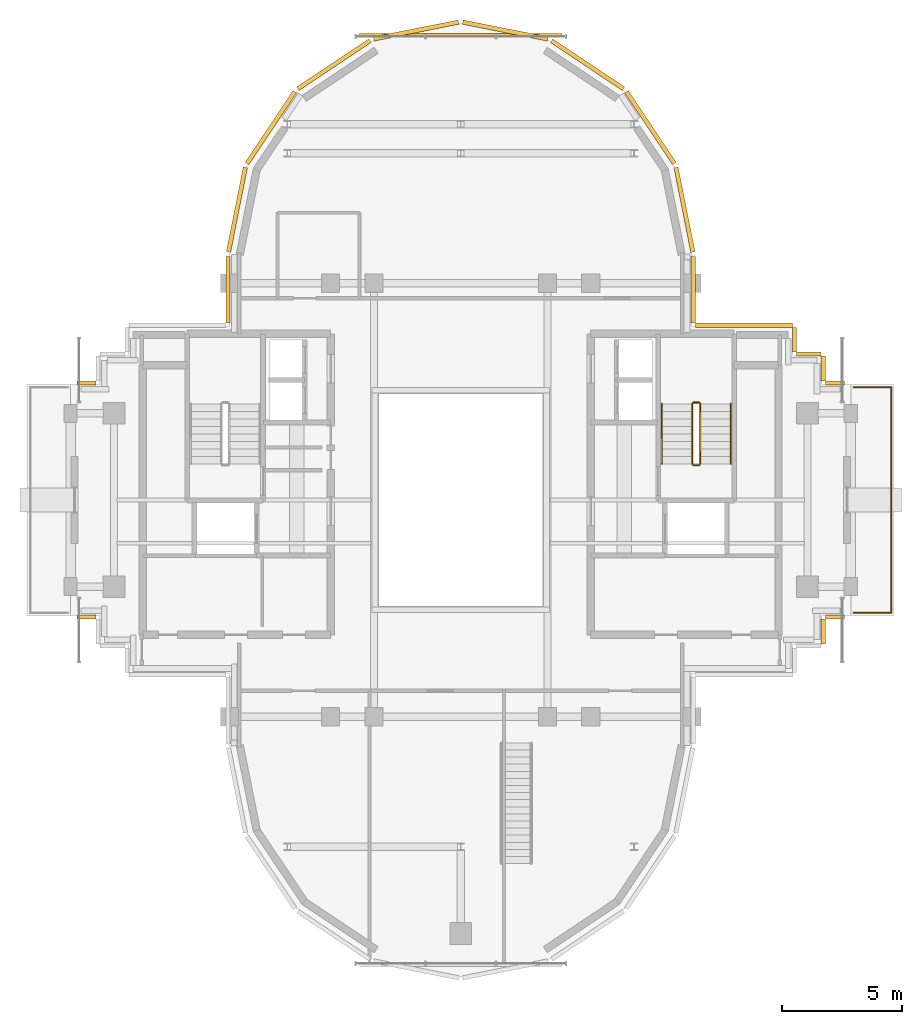
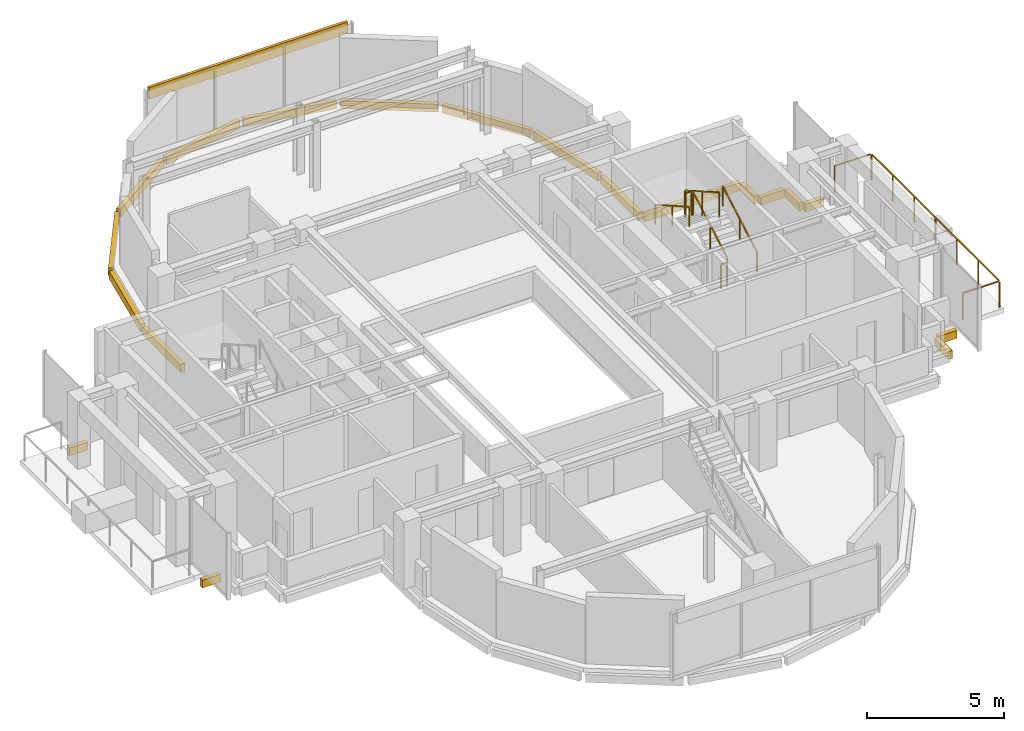
# One storey, part 11 of 12: 20 coverings, 7 railings.
"""IFC4 building model written with IfcOpenShell, lengths in metres."""

from ifc_helpers import new_model, si_unit, direction, frame, origin, origin_2d, place, context, subcontext, project, spatial, rectangle, extrude, source, transform, mapped, material, layer, layer_set, type_object, element, save


model = new_model("IFC4")

# Units and contexts
model_context = context("Model", 3, precision=1e-05, world=origin(), true_north=direction((0.0, 1.0)))
body_context = subcontext(model_context, "Body", "Model", "MODEL_VIEW")
ifc_project = project(units=[si_unit("LENGTHUNIT", "METRE"), si_unit("AREAUNIT", "SQUARE_METRE"), si_unit("VOLUMEUNIT", "CUBIC_METRE"), si_unit("PLANEANGLEUNIT", "RADIAN"), si_unit("MASSUNIT", "GRAM", prefix="KILO")], contexts=[model_context])

# Site, building, storey
site_placement = place(None, origin())
site = spatial("IfcSite", under=ifc_project, at=site_placement, CompositionType="ELEMENT")
building_placement = place(site_placement, origin())
building = spatial("IfcBuilding", under=site, at=building_placement, Name="Keilestroom Media Tower", CompositionType="ELEMENT")
storey_placement = place(building_placement, frame((0.0, 0.0, 252.39990234375)))
storey = spatial("IfcBuildingStorey", under=building, at=storey_placement, Name="L70", CompositionType="ELEMENT", Elevation=252.39990234375)

# Railings
ifc_material_1 = material(Name="Brushed Stainless Steel 1.4301", Category="steel")
railing_type_1 = type_object("IfcRailingType", Name="Stair-Pitch-Handrail-920", PredefinedType="HANDRAIL", material=ifc_material_1)
railing_1_placement = place(storey_placement, frame((11.2099609375, 1.5, 0.177978515625)))
element("IfcRailing", 1, at=railing_1_placement, inside=storey, type_object=railing_type_1, Name="L70 ST-2 stair handrail 1", PredefinedType="HANDRAIL", context=body_context, shape_type="SweptSolid", body=[
    extrude(rectangle(XDim=0.048095703125, YDim=0.048095703125, at=origin_2d()), frame((0.0, 0.0, 0.8759765625), z_axis=(0.0, 0.868875238982, 0.495031129408), x_axis=(-1.0, 0.0, 0.0)), (0.0, 0.0, 1.0), 2.872802734375),
    extrude(rectangle(XDim=0.0419921875, YDim=0.0419921875, at=origin_2d()), origin(), (0.0, 0.0, 1.0), 0.84375),
    extrude(rectangle(XDim=0.0419921875, YDim=0.0419921875, at=origin_2d()), frame((0.0, 1.248046875, 0.7109375)), (0.0, 0.0, 1.0), 0.84375),
    extrude(rectangle(XDim=0.0419921875, YDim=0.0419921875, at=origin_2d()), frame((0.0, 2.49609375, 1.422119140625)), (0.0, 0.0, 1.0), 0.84375),
])
railing_2_placement = place(storey_placement, frame((8.35009765625, 3.99609375, 1.77783203125)))
element("IfcRailing", 2, at=railing_2_placement, inside=storey, type_object=railing_type_1, Name="L70 ST-2 stair handrail 2", PredefinedType="HANDRAIL", context=body_context, shape_type="SweptSolid", body=[
    extrude(rectangle(XDim=0.048095703125, YDim=0.048095703125, at=origin_2d()), frame((0.0, 0.0, 0.8759765625), z_axis=(0.0, -0.868838684858, 0.495095283449), x_axis=(1.0, 0.0, 0.0)), (0.0, 0.0, 1.0), 2.872802734375),
    extrude(rectangle(XDim=0.0419921875, YDim=0.0419921875, at=origin_2d()), origin(), (0.0, 0.0, 1.0), 0.84375),
    extrude(rectangle(XDim=0.0419921875, YDim=0.0419921875, at=origin_2d()), frame((0.0, -1.248046875, 0.711181640625)), (0.0, 0.0, 1.0), 0.84375),
    extrude(rectangle(XDim=0.0419921875, YDim=0.0419921875, at=origin_2d()), frame((0.0, -2.49609375, 1.42236328125)), (0.0, 0.0, 1.0), 0.84375),
])
ifc_material_2 = material(Name="Painted Steel Balustrade", Category="steel")
railing_type_2 = type_object("IfcRailingType", Name="Stair-Well-And-Landing-Guard-1100", PredefinedType="GUARDRAIL", material=ifc_material_2)
railing_3_placement = place(storey_placement, frame((9.949951171875, 1.5, 0.177978515625)))
element("IfcRailing", 3, at=railing_3_placement, inside=storey, type_object=railing_type_2, Name="L70 ST-2 stair guard 1", PredefinedType="GUARDRAIL", context=body_context, shape_type="SweptSolid", body=[
    extrude(rectangle(XDim=0.048095703125, YDim=0.048095703125, at=origin_2d()), frame((0.0, 0.0, 1.076171875), z_axis=(0.0, 0.868875238982, 0.495031129408), x_axis=(-1.0, 0.0, 0.0)), (0.0, 0.0, 1.0), 2.872802734375),
    extrude(rectangle(XDim=0.0419921875, YDim=0.0419921875, at=origin_2d()), origin(), (0.0, 0.0, 1.0), 1.0439453125),
    extrude(rectangle(XDim=0.0419921875, YDim=0.0419921875, at=origin_2d()), frame((0.0, 1.248046875, 0.7109375)), (0.0, 0.0, 1.0), 1.0439453125),
    extrude(rectangle(XDim=0.0419921875, YDim=0.0419921875, at=origin_2d()), frame((0.0, 2.49609375, 1.422119140625)), (0.0, 0.0, 1.0), 1.0439453125),
])
railing_4_placement = place(storey_placement, frame((9.89990234375, 4.0458984375, 1.60009765625)))
element("IfcRailing", 4, at=railing_4_placement, inside=storey, type_object=railing_type_2, Name="L70 ST-2 stair guard 2", PredefinedType="GUARDRAIL", context=body_context, shape_type="SweptSolid", body=[
    extrude(rectangle(XDim=0.048095703125, YDim=0.048095703125, at=origin_2d()), frame((0.0, 0.0, 1.076171875), z_axis=(-1.0, 0.0, 0.0), x_axis=(0.0, -1.0, 0.0)), (0.0, 0.0, 1.0), 0.239990234375),
    extrude(rectangle(XDim=0.0419921875, YDim=0.0419921875, at=origin_2d()), origin(), (0.0, 0.0, 1.0), 1.0439453125),
    extrude(rectangle(XDim=0.0419921875, YDim=0.0419921875, at=origin_2d()), frame((-0.239990234375, 0.0, 0.0)), (0.0, 0.0, 1.0), 1.0439453125),
])
railing_5_placement = place(storey_placement, frame((9.610107421875, 3.99609375, 1.77783203125)))
element("IfcRailing", 5, at=railing_5_placement, inside=storey, type_object=railing_type_2, Name="L70 ST-2 stair guard 3", PredefinedType="GUARDRAIL", context=body_context, shape_type="SweptSolid", body=[
    extrude(rectangle(XDim=0.048095703125, YDim=0.048095703125, at=origin_2d()), frame((0.0, 0.0, 1.076171875), z_axis=(0.0, -0.868838684858, 0.495095283449), x_axis=(1.0, 0.0, 0.0)), (0.0, 0.0, 1.0), 2.872802734375),
    extrude(rectangle(XDim=0.0419921875, YDim=0.0419921875, at=origin_2d()), origin(), (0.0, 0.0, 1.0), 1.0439453125),
    extrude(rectangle(XDim=0.0419921875, YDim=0.0419921875, at=origin_2d()), frame((0.0, -1.248046875, 0.711181640625)), (0.0, 0.0, 1.0), 1.0439453125),
    extrude(rectangle(XDim=0.0419921875, YDim=0.0419921875, at=origin_2d()), frame((0.0, -2.49609375, 1.42236328125)), (0.0, 0.0, 1.0), 1.0439453125),
])
railing_6_placement = place(storey_placement, frame((9.89990234375, 1.449951171875, 0.0)))
element("IfcRailing", 6, at=railing_6_placement, inside=storey, type_object=railing_type_2, Name="L70 ST-2 stair guard 4", PredefinedType="GUARDRAIL", context=body_context, shape_type="SweptSolid", body=[
    extrude(rectangle(XDim=0.048095703125, YDim=0.048095703125, at=origin_2d()), frame((0.0, 0.0, 1.076171875), z_axis=(-1.0, 0.0, 0.0), x_axis=(0.0, -1.0, 0.0)), (0.0, 0.0, 1.0), 0.239990234375),
    extrude(rectangle(XDim=0.0419921875, YDim=0.0419921875, at=origin_2d()), origin(), (0.0, 0.0, 1.0), 1.0439453125),
    extrude(rectangle(XDim=0.0419921875, YDim=0.0419921875, at=origin_2d()), frame((-0.239990234375, 0.0, 0.0)), (0.0, 0.0, 1.0), 1.0439453125),
])
ifc_material_3 = material(Name="Laminated Safety Glass & Bronze Aluminium", Category="aluminium")
railing_type_3 = type_object("IfcRailingType", Name="Terrace-And-Atrium-Guard-Balustrade-GD-SKY", PredefinedType="BALUSTRADE", material=ifc_material_3)
railing_7_placement = place(storey_placement, frame((16.320068359375, -4.679931640625, 0.0)))
element("IfcRailing", 7, at=railing_7_placement, inside=storey, type_object=railing_type_3, Name="L70 Terrace Perimeter Guard CUP70-E", PredefinedType="BALUSTRADE", context=body_context, shape_type="SweptSolid", body=[
    extrude(rectangle(XDim=0.048095703125, YDim=0.048095703125, at=origin_2d()), frame((0.0, 0.0, 1.17578125), z_axis=(1.0, 0.0, 0.0), x_axis=(0.0, 1.0, 0.0)), (0.0, 0.0, 1.0), 1.51171875),
    extrude(rectangle(XDim=0.048095703125, YDim=0.048095703125, at=origin_2d()), frame((1.559814453125, 0.048095703125, 1.17578125), z_axis=(0.0, 1.0, 0.0), x_axis=(-1.0, 0.0, 0.0)), (0.0, 0.0, 1.0), 9.263671875),
    extrude(rectangle(XDim=0.048095703125, YDim=0.048095703125, at=origin_2d()), frame((1.51171875, 9.35986328125, 1.17578125), z_axis=(-1.0, 0.0, 0.0), x_axis=(0.0, -1.0, 0.0)), (0.0, 0.0, 1.0), 1.51171875),
    extrude(rectangle(XDim=0.0419921875, YDim=0.0419921875, at=origin_2d()), origin(), (0.0, 0.0, 1.0), 1.143798828125),
    extrude(rectangle(XDim=0.0419921875, YDim=0.0419921875, at=origin_2d()), frame((1.559814453125, 0.0, 0.0)), (0.0, 0.0, 1.0), 1.143798828125),
    extrude(rectangle(XDim=0.0419921875, YDim=0.0419921875, at=origin_2d()), frame((1.559814453125, 1.56005859375, 0.0)), (0.0, 0.0, 1.0), 1.143798828125),
    extrude(rectangle(XDim=0.0419921875, YDim=0.0419921875, at=origin_2d()), frame((1.559814453125, 3.119873046875, 0.0)), (0.0, 0.0, 1.0), 1.143798828125),
    extrude(rectangle(XDim=0.0419921875, YDim=0.0419921875, at=origin_2d()), frame((1.559814453125, 4.679931640625, 0.0)), (0.0, 0.0, 1.0), 1.143798828125),
    extrude(rectangle(XDim=0.0419921875, YDim=0.0419921875, at=origin_2d()), frame((1.559814453125, 6.239990234375, 0.0)), (0.0, 0.0, 1.0), 1.143798828125),
    extrude(rectangle(XDim=0.0419921875, YDim=0.0419921875, at=origin_2d()), frame((1.559814453125, 7.7998046875, 0.0)), (0.0, 0.0, 1.0), 1.143798828125),
    extrude(rectangle(XDim=0.0419921875, YDim=0.0419921875, at=origin_2d()), frame((1.559814453125, 9.35986328125, 0.0)), (0.0, 0.0, 1.0), 1.143798828125),
    extrude(rectangle(XDim=0.0419921875, YDim=0.0419921875, at=origin_2d()), frame((0.0, 9.35986328125, 0.0)), (0.0, 0.0, 1.0), 1.143798828125),
])

# Coverings
ifc_material_4 = material(Name="Precast concrete C40/50", Category="concrete")
ifc_layer = layer(ifc_material_4, 0.1201171875)
ifc_layer_set = layer_set([ifc_layer], Name="Precast concrete C40/50")
covering_type = type_object("IfcCoveringType", Name="Exterior-Precast-Spandrel-Cladding-Panel-120", PredefinedType="CLADDING", material=ifc_layer_set)
shared_shape_1 = source(origin(), body_context, "Body", "SweptSolid", [
    extrude(rectangle(XDim=8.39990234375, YDim=0.1201171875, at=origin_2d()), origin(), (0.0, 0.0, 1.0), 0.52001953125),
])
covering_1_placement = place(storey_placement, frame((0.0, 19.320068359375, 2.5), z_axis=(0.0, 0.0, 1.0), x_axis=(1.0, 0.0, 0.0)))
element("IfcCovering", 8, at=covering_1_placement, inside=storey, type_object=covering_type, Name="L70 Precast Spandrel Cladding N", PredefinedType="CLADDING", context=body_context, shape_type="MappedRepresentation", body=[
    mapped(shared_shape_1, transform((0.0, 0.0, 0.0), x_axis=(1.0, 0.0, 0.0), y_axis=(0.0, 1.0, 0.0), z_axis=(0.0, 0.0, 1.0), scale=1.0)),
])
shared_shape_2 = source(origin(), body_context, "Body", "SweptSolid", [
    extrude(rectangle(XDim=1.02001953125, YDim=0.179931640625, at=origin_2d()), origin(), (0.0, 0.0, 1.0), 0.35009765625),
])
for number, where, z_axis, x_axis, name in (
    (9, (15.06005859375, -5.4599609375, -0.530029296875), (0.0, 0.0, 1.0), (0.0, -1.0, 0.0), "L70 Precast Slab-Edge Fascia Cornice 02"),
    (10, (13.860107421875, 6.659912109375, -0.530029296875), (0.0, 0.0, 1.0), (0.0, -1.0, 0.0), "L70 Precast Slab-Edge Fascia Cornice 37"),
    (11, (14.4599609375, 6.06005859375, -0.530029296875), (0.0, 0.0, 1.0), (1.0, 0.0, 0.0), "L70 Precast Slab-Edge Fascia Cornice 38"),
    (12, (15.06005859375, 5.4599609375, -0.530029296875), (0.0, 0.0, 1.0), (0.0, -1.0, 0.0), "L70 Precast Slab-Edge Fascia Cornice 39"),
):
    element("IfcCovering", number, at=place(storey_placement, frame(where, z_axis=z_axis, x_axis=x_axis)), inside=storey, type_object=covering_type, Name=name, PredefinedType="CLADDING", context=body_context, shape_type="MappedRepresentation", body=[
        mapped(shared_shape_2, transform((0.0, 0.0, 0.0), x_axis=(1.0, 0.0, 0.0), y_axis=(0.0, 1.0, 0.0), z_axis=(0.0, 0.0, 1.0), scale=1.0)),
    ])
shared_shape_3 = source(origin(), body_context, "Body", "SweptSolid", [
    extrude(rectangle(XDim=2.765869140625, YDim=0.179931640625, at=origin_2d()), origin(), (0.0, 0.0, 1.0), 0.35009765625),
])
for number, where, z_axis, x_axis, name in (
    (13, (-9.659912109375, 8.73291015625, -0.530029296875), (0.0, 0.0, 1.0), (0.0, 1.0, 0.0), "L70 Precast Slab-Edge Fascia Cornice 26"),
    (14, (9.659912109375, 8.73291015625, -0.530029296875), (0.0, 0.0, 1.0), (0.0, -1.0, 0.0), "L70 Precast Slab-Edge Fascia Cornice 35"),
):
    element("IfcCovering", number, at=place(storey_placement, frame(where, z_axis=z_axis, x_axis=x_axis)), inside=storey, type_object=covering_type, Name=name, PredefinedType="CLADDING", context=body_context, shape_type="MappedRepresentation", body=[
        mapped(shared_shape_3, transform((0.0, 0.0, 0.0), x_axis=(1.0, 0.0, 0.0), y_axis=(0.0, 1.0, 0.0), z_axis=(0.0, 0.0, 1.0), scale=1.0)),
    ])
shared_shape_4 = source(origin(), body_context, "Body", "SweptSolid", [
    extrude(rectangle(XDim=3.58349609375, YDim=0.179931640625, at=origin_2d()), origin(), (0.0, 0.0, 1.0), 0.35009765625),
])
for number, where, z_axis, x_axis, name in (
    (15, (-9.29296875, 12.051513671875, -0.530029296875), (0.0, 0.0, 1.0), (0.195098880975, 0.980783577882, 0.0), "L70 Precast Slab-Edge Fascia Cornice 27"),
    (16, (9.29296875, 12.051513671875, -0.530029296875), (0.0, 0.0, 1.0), (0.195098880975, -0.980783577882, 0.0), "L70 Precast Slab-Edge Fascia Cornice 34"),
):
    element("IfcCovering", number, at=place(storey_placement, frame(where, z_axis=z_axis, x_axis=x_axis)), inside=storey, type_object=covering_type, Name=name, PredefinedType="CLADDING", context=body_context, shape_type="MappedRepresentation", body=[
        mapped(shared_shape_4, transform((0.0, 0.0, 0.0), x_axis=(1.0, 0.0, 0.0), y_axis=(0.0, 1.0, 0.0), z_axis=(0.0, 0.0, 1.0), scale=1.0)),
    ])
shared_shape_5 = source(origin(), body_context, "Body", "SweptSolid", [
    extrude(rectangle(XDim=3.589599609375, YDim=0.179931640625, at=origin_2d()), origin(), (0.0, 0.0, 1.0), 0.35009765625),
])
for number, where, z_axis, x_axis, name in (
    (17, (-7.878662109375, 15.46435546875, -0.530029296875), (0.0, 0.0, 1.0), (0.555574586577, 0.831466703332, 0.0), "L70 Precast Slab-Edge Fascia Cornice 28"),
    (18, (-5.264404296875, 18.07861328125, -0.530029296875), (0.0, 0.0, 1.0), (0.831466703332, 0.555574586577, 0.0), "L70 Precast Slab-Edge Fascia Cornice 29"),
    (19, (-1.8486328125, 19.493408203125, -0.530029296875), (0.0, 0.0, 1.0), (0.980783577882, 0.195098880975, 0.0), "L70 Precast Slab-Edge Fascia Cornice 30"),
    (20, (1.8486328125, 19.493408203125, -0.530029296875), (0.0, 0.0, 1.0), (0.980783577882, -0.195098880975, 0.0), "L70 Precast Slab-Edge Fascia Cornice 31"),
    (21, (5.264404296875, 18.07861328125, -0.530029296875), (0.0, 0.0, 1.0), (0.831466703332, -0.555574586577, 0.0), "L70 Precast Slab-Edge Fascia Cornice 32"),
    (22, (7.878662109375, 15.46435546875, -0.530029296875), (0.0, 0.0, 1.0), (0.555574586577, -0.831466703332, 0.0), "L70 Precast Slab-Edge Fascia Cornice 33"),
):
    element("IfcCovering", number, at=place(storey_placement, frame(where, z_axis=z_axis, x_axis=x_axis)), inside=storey, type_object=covering_type, Name=name, PredefinedType="CLADDING", context=body_context, shape_type="MappedRepresentation", body=[
        mapped(shared_shape_5, transform((0.0, 0.0, 0.0), x_axis=(1.0, 0.0, 0.0), y_axis=(0.0, 1.0, 0.0), z_axis=(0.0, 0.0, 1.0), scale=1.0)),
    ])
shared_shape_6 = source(origin(), body_context, "Body", "SweptSolid", [
    extrude(rectangle(XDim=0.780029296875, YDim=0.179931640625, at=origin_2d()), origin(), (0.0, 0.0, 1.0), 0.35009765625),
])
for number, where, z_axis, x_axis, name in (
    (23, (15.5400390625, -4.860107421875, -0.530029296875), (0.0, 0.0, 1.0), (-1.0, 0.0, 0.0), "L70 Precast Slab-Edge Fascia Cornice 01"),
    (24, (-15.5400390625, -4.860107421875, -0.530029296875), (0.0, 0.0, 1.0), (-1.0, 0.0, 0.0), "L70 Precast Slab-Edge Fascia Cornice 20"),
    (25, (-15.5400390625, 4.860107421875, -0.530029296875), (0.0, 0.0, 1.0), (1.0, 0.0, 0.0), "L70 Precast Slab-Edge Fascia Cornice 21"),
    (26, (15.5400390625, 4.860107421875, -0.530029296875), (0.0, 0.0, 1.0), (1.0, 0.0, 0.0), "L70 Precast Slab-Edge Fascia Cornice 40"),
):
    element("IfcCovering", number, at=place(storey_placement, frame(where, z_axis=z_axis, x_axis=x_axis)), inside=storey, type_object=covering_type, Name=name, PredefinedType="CLADDING", context=body_context, shape_type="MappedRepresentation", body=[
        mapped(shared_shape_6, transform((0.0, 0.0, 0.0), x_axis=(1.0, 0.0, 0.0), y_axis=(0.0, 1.0, 0.0), z_axis=(0.0, 0.0, 1.0), scale=1.0)),
    ])
shared_shape_7 = source(origin(), body_context, "Body", "SweptSolid", [
    extrude(rectangle(XDim=4.02001953125, YDim=0.179931640625, at=origin_2d()), origin(), (0.0, 0.0, 1.0), 0.35009765625),
])
covering_2_placement = place(storey_placement, frame((11.760009765625, 7.260009765625, -0.530029296875), z_axis=(0.0, 0.0, 1.0), x_axis=(1.0, 0.0, 0.0)))
element("IfcCovering", 27, at=covering_2_placement, inside=storey, type_object=covering_type, Name="L70 Precast Slab-Edge Fascia Cornice 36", PredefinedType="CLADDING", context=body_context, shape_type="MappedRepresentation", body=[
    mapped(shared_shape_7, transform((0.0, 0.0, 0.0), x_axis=(1.0, 0.0, 0.0), y_axis=(0.0, 1.0, 0.0), z_axis=(0.0, 0.0, 1.0), scale=1.0)),
])

save(model, "model.ifc")
